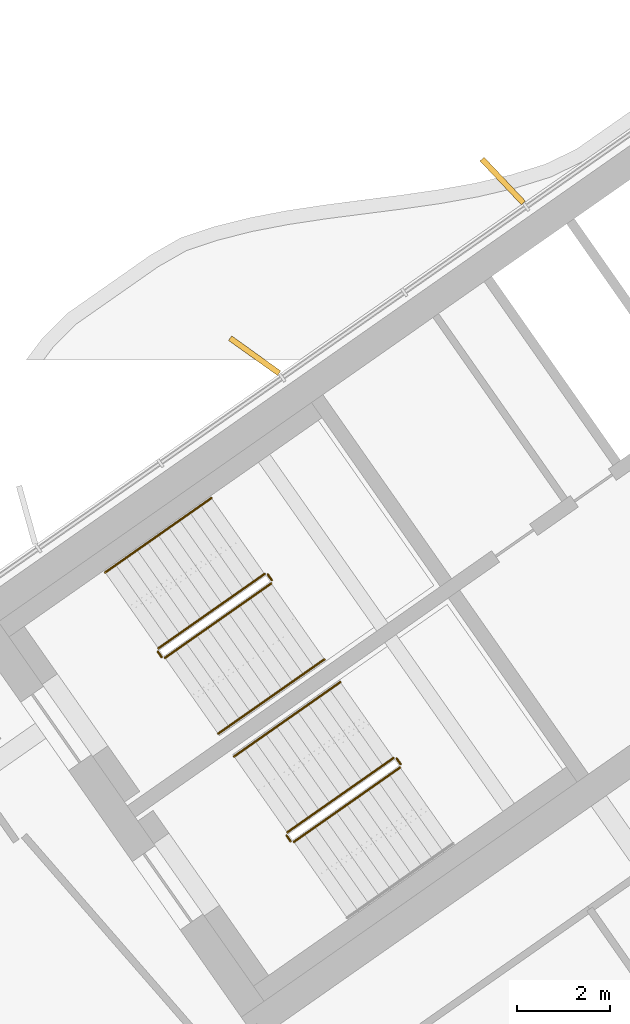
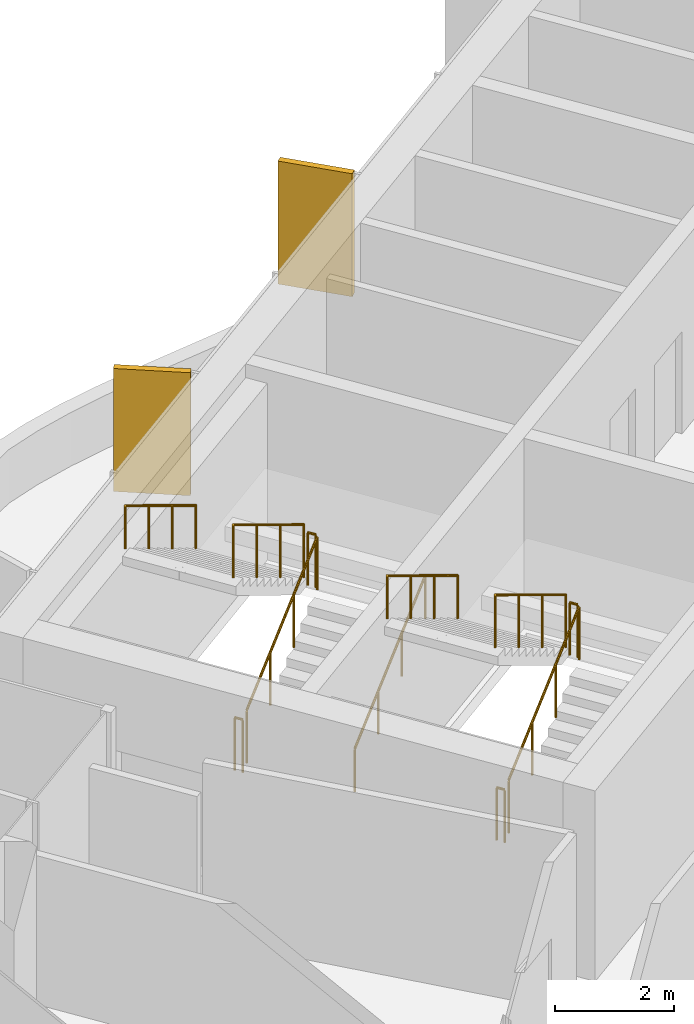
# One storey, part 15 of 18: 11 railings, 2 shading devices.
"""IFC4 building model written with IfcOpenShell, lengths in metres."""

import ifcopenshell
import ifcopenshell.guid

model = None  # the IFC model being written
_history = None  # IfcOwnerHistory: only IFC2X3 demands one
_inside = {}  # id of a spatial element -> (the spatial element, [elements in it])
_under = {}  # id of a project, library or spatial element -> (it, [spatial elements below it])
_declared = {}  # id of a project -> (the project, [libraries it declares])
_typed = {}  # id of a type object -> (the type object, [elements of that type])
_made_of = {}  # id of a material, layer set ... -> (it, [elements and type objects made of it])


def new_model(schema):
    """Start an empty IFC model of exactly this schema.

    Asked for "IFC4X3", IfcOpenShell would pick the latest addendum, in which some entities
    have other attributes; the version numbers below select the first issue.
    IFC2X3 requires an IfcOwnerHistory on every rooted entity: one is made here for all.
    """
    global model, _history
    if schema == "IFC4X3":
        model = ifcopenshell.file(schema_version=(4, 3, 0, 0))
    else:
        model = ifcopenshell.file(schema=schema)
    _inside.clear()
    _under.clear()
    _declared.clear()
    _typed.clear()
    _made_of.clear()
    _history = None
    if model.schema == "IFC2X3":
        org = make("IfcOrganization", Name="unknown")
        user = make(
            "IfcPersonAndOrganization",
            ThePerson=make("IfcPerson", FamilyName="unknown"),
            TheOrganization=org,
        )
        app = make(
            "IfcApplication",
            ApplicationDeveloper=org,
            Version="unknown",
            ApplicationFullName="unknown",
            ApplicationIdentifier="unknown",
        )
        _history = make(
            "IfcOwnerHistory",
            OwningUser=user,
            OwningApplication=app,
            ChangeAction="ADDED",
            CreationDate=0,
        )
    return model


def make(cls, **values):
    """One entity of the class cls with the attributes given. An attribute that is None is left unset."""
    return model.create_entity(
        cls, **{name: value for name, value in values.items() if value is not None}
    )


def rooted(cls, **values):
    """An entity with a GlobalId (a new one), such as an element, a storey or a relation."""
    return make(cls, GlobalId=ifcopenshell.guid.new(), OwnerHistory=_history, **values)


def si_unit(unit_type, name, prefix=None):
    """IfcSIUnit, for example si_unit("LENGTHUNIT", "METRE", prefix="MILLI")."""
    return make("IfcSIUnit", UnitType=unit_type, Prefix=prefix, Name=name)


def assignment(units):
    """IfcUnitAssignment: the units of a project."""
    return None if units is None else make("IfcUnitAssignment", Units=units)


def point(xyz):
    """IfcCartesianPoint."""
    return None if xyz is None else make("IfcCartesianPoint", Coordinates=xyz)


def direction(xyz):
    """IfcDirection."""
    return None if xyz is None else make("IfcDirection", DirectionRatios=xyz)


def frame(location, z_axis=None, x_axis=None):
    """IfcAxis2Placement3D, a coordinate frame: its origin and axes. An axis left out is left unset."""
    return make(
        "IfcAxis2Placement3D",
        Location=point(location),
        Axis=direction(z_axis),
        RefDirection=direction(x_axis),
    )


def frame_2d(location, x_axis=None):
    """IfcAxis2Placement2D, a coordinate frame in the plane: its origin and x axis."""
    return make(
        "IfcAxis2Placement2D", Location=point(location), RefDirection=direction(x_axis)
    )


def origin():
    """The frame at (0, 0, 0) with its axes left unset."""
    return frame((0.0, 0.0, 0.0))


def origin_2d():
    """The frame at (0, 0) in the plane with its x axis left unset."""
    return frame_2d((0.0, 0.0))


def place(relative_to, where):
    """IfcLocalPlacement: puts the frame where relative to a parent placement (None: the world)."""
    return make(
        "IfcLocalPlacement", PlacementRelTo=relative_to, RelativePlacement=where
    )


def context(
    kind, dimensions, precision=None, world=None, true_north=None, identifier=None
):
    """IfcGeometricRepresentationContext, for example the 3D "Model" context."""
    return make(
        "IfcGeometricRepresentationContext",
        ContextIdentifier=identifier,
        ContextType=kind,
        CoordinateSpaceDimension=dimensions,
        Precision=precision,
        WorldCoordinateSystem=world,
        TrueNorth=true_north,
    )


def subcontext(parent, identifier, kind, view, scale=None):
    """IfcGeometricRepresentationSubContext, for example "Body" below "Model"."""
    return make(
        "IfcGeometricRepresentationSubContext",
        ContextIdentifier=identifier,
        ContextType=kind,
        ParentContext=parent,
        TargetScale=scale,
        TargetView=view,
    )


def project(units=None, contexts=None):
    """IfcProject with its units and contexts."""
    return rooted(
        "IfcProject",
        Name="project",
        RepresentationContexts=contexts,
        UnitsInContext=assignment(units),
    )


def spatial(cls, under=None, at=None, **own):
    """A site, building, storey or space (cls), placed at a placement, below another one or the project."""
    s = rooted(cls, ObjectPlacement=at, **own)
    if under is not None:
        _under.setdefault(under.id(), (under, []))[1].append(s)
    return s


def profile(cls, at=None, kind="AREA", **sizes):
    """A parametric profile (cls). Its sizes go by their IFC names, for example OverallWidth=200.0."""
    return make(cls, ProfileType=kind, Position=at, **sizes)


def rectangle(**sizes):
    """IfcRectangleProfileDef."""
    return profile("IfcRectangleProfileDef", **sizes)


def circle(**sizes):
    """IfcCircleProfileDef."""
    return profile("IfcCircleProfileDef", **sizes)


def extrude(swept, where, along, depth):
    """IfcExtrudedAreaSolid: the profile swept, set in the frame where, extruded along a direction by depth."""
    return make(
        "IfcExtrudedAreaSolid",
        SweptArea=swept,
        Position=where,
        ExtrudedDirection=direction(along),
        Depth=depth,
    )


def shape(context_of_items, identifier, shape_type, items):
    """IfcShapeRepresentation: the items that make up one representation, for example the "Body"."""
    return make(
        "IfcShapeRepresentation",
        ContextOfItems=context_of_items,
        RepresentationIdentifier=identifier,
        RepresentationType=shape_type,
        Items=items,
    )


def material(Name=None, Category=None):
    """IfcMaterial."""
    return make("IfcMaterial", Name=Name, Category=Category)


def layer(
    of_material, thickness, ventilated=None, Name=None, Category=None, Priority=None
):
    """IfcMaterialLayer: one layer of a wall or slab, of a material (None: an air gap)."""
    return make(
        "IfcMaterialLayer",
        Material=of_material,
        LayerThickness=thickness,
        IsVentilated=ventilated,
        Name=Name,
        Category=Category,
        Priority=Priority,
    )


def layer_set(layers, Name=None):
    """IfcMaterialLayerSet."""
    return make("IfcMaterialLayerSet", MaterialLayers=layers, LayerSetName=Name)


def made_of(thing, what):
    """Note that an element or type object is made of a material, layer set ...; save() writes the relation."""
    if what is not None:
        _made_of.setdefault(what.id(), (what, []))[1].append(thing)
    return thing


def type_object(cls, material=None, **own):
    """A type object (cls), such as IfcWallType, which elements share."""
    return made_of(rooted(cls, **own), material)


def element(
    cls,
    number,
    at=None,
    inside=None,
    cuts=None,
    type_object=None,
    material=None,
    context=None,
    identifier="Body",
    shape_type=None,
    held_by="IfcProductDefinitionShape",
    body=None,
    shapes=None,
    **own,
):
    """One element of the class cls, such as IfcWall. Its Tag is "e" and its number.

    at: its placement. inside: the storey or other place that contains it. cuts: it is an
    opening in that element (IfcRelVoidsElement). A single representation is given by context,
    identifier, shape_type and body (its items); several are given by shapes. held_by: the class
    of the entity that holds the representations. save() writes the other relations.
    """
    e = rooted(cls, Tag="e%d" % number, ObjectPlacement=at, **own)
    if body is not None:
        shapes = [shape(context, identifier, shape_type, body)]
    if shapes is not None:
        e.Representation = make(held_by, Representations=shapes)
    if inside is not None:
        _inside.setdefault(inside.id(), (inside, []))[1].append(e)
    if cuts is not None:
        rooted(
            "IfcRelVoidsElement", RelatingBuildingElement=cuts, RelatedOpeningElement=e
        )
    if type_object is not None:
        _typed.setdefault(type_object.id(), (type_object, []))[1].append(e)
    return made_of(e, material)


def aggregate(whole, parts):
    """IfcRelAggregates: a whole, such as a stair, and the parts it consists of."""
    return rooted("IfcRelAggregates", RelatingObject=whole, RelatedObjects=parts)


def save(model, path):
    """Write the relations noted so far, then the file.

    IfcRelAggregates (storeys below a building ...), IfcRelContainedInSpatialStructure (elements
    in a storey), IfcRelDefinesByType, IfcRelAssociatesMaterial and IfcRelDeclares: one each for
    every whole, place, type object, material and project.
    """
    for whole, parts in _under.values():
        aggregate(whole, parts)
    for where, things in _inside.values():
        rooted(
            "IfcRelContainedInSpatialStructure",
            RelatedElements=things,
            RelatingStructure=where,
        )
    for kind, things in _typed.values():
        rooted("IfcRelDefinesByType", RelatedObjects=things, RelatingType=kind)
    for what, things in _made_of.values():
        rooted("IfcRelAssociatesMaterial", RelatedObjects=things, RelatingMaterial=what)
    for by, libraries in _declared.values():
        rooted("IfcRelDeclares", RelatingContext=by, RelatedDefinitions=libraries)
    model.write(path)


model = new_model("IFC4")

# Units and contexts
model_context = context("Model", 3, precision=1e-05, world=origin(), true_north=direction((0.0, 1.0)))
body_context = subcontext(model_context, "Body", "Model", "MODEL_VIEW")
ifc_project = project(units=[si_unit("LENGTHUNIT", "METRE"), si_unit("AREAUNIT", "SQUARE_METRE"), si_unit("VOLUMEUNIT", "CUBIC_METRE"), si_unit("PLANEANGLEUNIT", "RADIAN"), si_unit("MASSUNIT", "GRAM", prefix="KILO")], contexts=[model_context])

# Site, building, storey
site_placement = place(None, origin())
site = spatial("IfcSite", under=ifc_project, at=site_placement, CompositionType="ELEMENT")
building_placement = place(site_placement, origin())
building = spatial("IfcBuilding", under=site, at=building_placement, Name="Tel Ilan Convention Tower", CompositionType="ELEMENT")
storey_placement = place(building_placement, frame((0.0, 0.0, 268.300048828125)))
storey = spatial("IfcBuildingStorey", under=building, at=storey_placement, Name="L63", CompositionType="ELEMENT", Elevation=268.300048828125)

# Shading devices
ifc_material_1 = material(Name="Aluminium, bronze anodised", Category="aluminium")
ifc_layer = layer(ifc_material_1, 0.1201171875)
ifc_layer_set = layer_set([ifc_layer], Name="FIN BRONZE 1300x120")
shading_device_type = type_object("IfcShadingDeviceType", Name="FIN BRONZE 1300x120", PredefinedType="USERDEFINED", material=ifc_layer_set)
for number, where, z_axis, x_axis, name in (
    (1, (-16.24658203125, 2.2373046875, 1.099853515625), (0.0, 0.0, 1.0), (-0.686241637865, 0.727373641577, 0.0), "FIN"),
    (2, (-21.600830078125, -1.534912109375, 1.099853515625), (0.0, 0.0, 1.0), (-0.813552070258, 0.581492071294, 0.0), "FIN"),
):
    element("IfcShadingDevice", number, at=place(storey_placement, frame(where, z_axis=z_axis, x_axis=x_axis)), inside=storey, type_object=shading_device_type, Name=name, ObjectType="FIN", PredefinedType="USERDEFINED", context=body_context, shape_type="SweptSolid", body=[
        extrude(rectangle(XDim=1.300048828125, YDim=0.1201171875, at=origin_2d()), origin(), (0.0, 0.0, 1.0), 2.52001953125),
    ])

# Railings
ifc_material_2 = material(Name="Stainless Steel Grade 316", Category="steel")
railing_type_1 = type_object("IfcRailingType", Name="Stainless Steel Stair Guard 1100 mm", PredefinedType="GUARDRAIL", material=ifc_material_2)
railing_1_placement = place(storey_placement, frame((-23.535400390625, -8.056396484375, 0.17724609375)))
element("IfcRailing", 3, at=railing_1_placement, inside=storey, type_object=railing_type_1, Name="L63 S1 stair guard 1", PredefinedType="GUARDRAIL", context=body_context, shape_type="SweptSolid", body=[
    extrude(circle(Radius=0.02392578125, at=origin_2d()), frame((0.0, 0.0, 1.076171875), z_axis=(0.692098378994, 0.484653031975, 0.534893701956), x_axis=(-0.573608623498, 0.819129505664, 0.0)), (0.0, 0.0, 1.0), 3.314208984375),
    extrude(circle(Radius=0.02099609375, at=origin_2d()), origin(), (0.0, 0.0, 1.0), 1.052001953125),
    extrude(circle(Radius=0.02099609375, at=origin_2d()), frame((0.7646484375, 0.535400390625, 0.5908203125)), (0.0, 0.0, 1.0), 1.052001953125),
    extrude(circle(Radius=0.02099609375, at=origin_2d()), frame((1.529052734375, 1.07080078125, 1.181884765625)), (0.0, 0.0, 1.0), 1.052001953125),
    extrude(circle(Radius=0.02099609375, at=origin_2d()), frame((2.293701171875, 1.606201171875, 1.772705078125)), (0.0, 0.0, 1.0), 1.052001953125),
])
railing_2_placement = place(storey_placement, frame((-21.2294921875, -6.380615234375, 1.949951171875)))
element("IfcRailing", 4, at=railing_2_placement, inside=storey, type_object=railing_type_1, Name="L63 S1 stair guard 2", PredefinedType="GUARDRAIL", context=body_context, shape_type="SweptSolid", body=[
    extrude(circle(Radius=0.02392578125, at=origin_2d()), frame((0.0, 0.0, 1.076171875), z_axis=(-0.573353020881, 0.819308436089, 0.0), x_axis=(-0.819308436089, -0.573353020881, 0.0)), (0.0, 0.0, 1.0), 0.14990234375),
    extrude(circle(Radius=0.02099609375, at=origin_2d()), origin(), (0.0, 0.0, 1.0), 1.052001953125),
    extrude(circle(Radius=0.02099609375, at=origin_2d()), frame((-0.0859375, 0.122802734375, 0.0)), (0.0, 0.0, 1.0), 1.052001953125),
])
railing_3_placement = place(storey_placement, frame((-21.38525390625, -6.24560546875, 2.127197265625)))
element("IfcRailing", 5, at=railing_3_placement, inside=storey, type_object=railing_type_1, Name="L63 S1 stair guard 3", PredefinedType="GUARDRAIL", context=body_context, shape_type="SweptSolid", body=[
    extrude(circle(Radius=0.02392578125, at=origin_2d()), frame((0.0, 0.0, 1.076171875), z_axis=(-0.692084706163, -0.484621375041, 0.534940073605), x_axis=(0.573591086599, -0.819141785879, 0.0)), (0.0, 0.0, 1.0), 3.313720703125),
    extrude(circle(Radius=0.02099609375, at=origin_2d()), origin(), (0.0, 0.0, 1.0), 1.052001953125),
    extrude(circle(Radius=0.02099609375, at=origin_2d()), frame((-0.764404296875, -0.535400390625, 0.5908203125)), (0.0, 0.0, 1.0), 1.052001953125),
    extrude(circle(Radius=0.02099609375, at=origin_2d()), frame((-1.529052734375, -1.070556640625, 1.181884765625)), (0.0, 0.0, 1.0), 1.052001953125),
    extrude(circle(Radius=0.02099609375, at=origin_2d()), frame((-2.29345703125, -1.60595703125, 1.772705078125)), (0.0, 0.0, 1.0), 1.052001953125),
])
railing_4_placement = place(storey_placement, frame((-23.60498046875, -8.0439453125, 0.0)))
element("IfcRailing", 6, at=railing_4_placement, inside=storey, type_object=railing_type_1, Name="L63 S1 stair guard 4", PredefinedType="GUARDRAIL", context=body_context, shape_type="SweptSolid", body=[
    extrude(circle(Radius=0.02392578125, at=origin_2d()), frame((0.0, 0.0, 1.076171875), z_axis=(-0.574444878118, 0.818543268254, 0.0), x_axis=(-0.818543268254, -0.574444878118, 0.0)), (0.0, 0.0, 1.0), 0.150146484375),
    extrude(circle(Radius=0.02099609375, at=origin_2d()), origin(), (0.0, 0.0, 1.0), 1.052001953125),
    extrude(circle(Radius=0.02099609375, at=origin_2d()), frame((-0.086181640625, 0.122802734375, 0.0)), (0.0, 0.0, 1.0), 1.052001953125),
])
railing_5_placement = place(storey_placement, frame((-20.753662109375, -12.029296875, 0.17724609375)))
element("IfcRailing", 7, at=railing_5_placement, inside=storey, type_object=railing_type_1, Name="L63 S2 stair guard 1", PredefinedType="GUARDRAIL", context=body_context, shape_type="SweptSolid", body=[
    extrude(circle(Radius=0.02392578125, at=origin_2d()), frame((0.0, 0.0, 1.076171875), z_axis=(0.692098378994, 0.484653031975, 0.534893701956), x_axis=(-0.573608623498, 0.819129505664, 0.0)), (0.0, 0.0, 1.0), 3.314208984375),
    extrude(circle(Radius=0.02099609375, at=origin_2d()), origin(), (0.0, 0.0, 1.0), 1.052001953125),
    extrude(circle(Radius=0.02099609375, at=origin_2d()), frame((0.7646484375, 0.535400390625, 0.5908203125)), (0.0, 0.0, 1.0), 1.052001953125),
    extrude(circle(Radius=0.02099609375, at=origin_2d()), frame((1.529052734375, 1.07080078125, 1.181884765625)), (0.0, 0.0, 1.0), 1.052001953125),
    extrude(circle(Radius=0.02099609375, at=origin_2d()), frame((2.293701171875, 1.606201171875, 1.772705078125)), (0.0, 0.0, 1.0), 1.052001953125),
])
railing_6_placement = place(storey_placement, frame((-18.44775390625, -10.353515625, 1.949951171875)))
element("IfcRailing", 8, at=railing_6_placement, inside=storey, type_object=railing_type_1, Name="L63 S2 stair guard 2", PredefinedType="GUARDRAIL", context=body_context, shape_type="SweptSolid", body=[
    extrude(circle(Radius=0.02392578125, at=origin_2d()), frame((0.0, 0.0, 1.076171875), z_axis=(-0.573353020881, 0.819308436089, 0.0), x_axis=(-0.819308436089, -0.573353020881, 0.0)), (0.0, 0.0, 1.0), 0.14990234375),
    extrude(circle(Radius=0.02099609375, at=origin_2d()), origin(), (0.0, 0.0, 1.0), 1.052001953125),
    extrude(circle(Radius=0.02099609375, at=origin_2d()), frame((-0.0859375, 0.122802734375, 0.0)), (0.0, 0.0, 1.0), 1.052001953125),
])
railing_7_placement = place(storey_placement, frame((-18.603271484375, -10.218505859375, 2.127197265625)))
element("IfcRailing", 9, at=railing_7_placement, inside=storey, type_object=railing_type_1, Name="L63 S2 stair guard 3", PredefinedType="GUARDRAIL", context=body_context, shape_type="SweptSolid", body=[
    extrude(circle(Radius=0.02392578125, at=origin_2d()), frame((0.0, 0.0, 1.076171875), z_axis=(-0.692123088272, -0.484596665743, 0.534912798717), x_axis=(0.573550118428, -0.819170471667, 0.0)), (0.0, 0.0, 1.0), 3.31396484375),
    extrude(circle(Radius=0.02099609375, at=origin_2d()), origin(), (0.0, 0.0, 1.0), 1.052001953125),
    extrude(circle(Radius=0.02099609375, at=origin_2d()), frame((-0.7646484375, -0.535400390625, 0.5908203125)), (0.0, 0.0, 1.0), 1.052001953125),
    extrude(circle(Radius=0.02099609375, at=origin_2d()), frame((-1.529052734375, -1.070556640625, 1.181884765625)), (0.0, 0.0, 1.0), 1.052001953125),
    extrude(circle(Radius=0.02099609375, at=origin_2d()), frame((-2.293701171875, -1.60595703125, 1.772705078125)), (0.0, 0.0, 1.0), 1.052001953125),
])
railing_8_placement = place(storey_placement, frame((-20.8232421875, -12.016845703125, 0.0)))
element("IfcRailing", 10, at=railing_8_placement, inside=storey, type_object=railing_type_1, Name="L63 S2 stair guard 4", PredefinedType="GUARDRAIL", context=body_context, shape_type="SweptSolid", body=[
    extrude(circle(Radius=0.02392578125, at=origin_2d()), frame((0.0, 0.0, 1.076171875), z_axis=(-0.573353020881, 0.819308436089, 0.0), x_axis=(-0.819308436089, -0.573353020881, 0.0)), (0.0, 0.0, 1.0), 0.14990234375),
    extrude(circle(Radius=0.02099609375, at=origin_2d()), origin(), (0.0, 0.0, 1.0), 1.052001953125),
    extrude(circle(Radius=0.02099609375, at=origin_2d()), frame((-0.0859375, 0.122802734375, 0.0)), (0.0, 0.0, 1.0), 1.052001953125),
])
ifc_material_3 = material(Name="Stainless Steel Grade 316", Category="steel")
railing_type_2 = type_object("IfcRailingType", Name="Stainless Steel Stair Handrail 900 mm", PredefinedType="HANDRAIL", material=ifc_material_3)
railing_9_placement = place(storey_placement, frame((-22.38818359375, -9.694580078125, 0.17724609375)))
element("IfcRailing", 11, at=railing_9_placement, inside=storey, type_object=railing_type_2, Name="L63 S1 stair handrail 1", PredefinedType="HANDRAIL", context=body_context, shape_type="SweptSolid", body=[
    extrude(circle(Radius=0.02392578125, at=origin_2d()), frame((0.0, 0.0, 0.8759765625), z_axis=(0.692084706163, 0.484621375041, 0.534940073605), x_axis=(-0.573591086599, 0.819141785879, 0.0)), (0.0, 0.0, 1.0), 3.313720703125),
    extrude(circle(Radius=0.02099609375, at=origin_2d()), origin(), (0.0, 0.0, 1.0), 0.851806640625),
    extrude(circle(Radius=0.02099609375, at=origin_2d()), frame((0.764404296875, 0.535400390625, 0.5908203125)), (0.0, 0.0, 1.0), 0.851806640625),
    extrude(circle(Radius=0.02099609375, at=origin_2d()), frame((1.529052734375, 1.070556640625, 1.181884765625)), (0.0, 0.0, 1.0), 0.851806640625),
    extrude(circle(Radius=0.02099609375, at=origin_2d()), frame((2.29345703125, 1.60595703125, 1.772705078125)), (0.0, 0.0, 1.0), 0.851806640625),
])
for number, where, name in (
    (12, (-22.5322265625, -4.607177734375, 2.127197265625), "L63 S1 stair handrail 2"),
    (13, (-19.75048828125, -8.580078125, 2.127197265625), "L63 S2 stair handrail 2"),
):
    element("IfcRailing", number, at=place(storey_placement, frame(where)), inside=storey, type_object=railing_type_2, Name=name, PredefinedType="HANDRAIL", context=body_context, shape_type="SweptSolid", body=[
        extrude(circle(Radius=0.02392578125, at=origin_2d()), frame((0.0, 0.0, 0.8759765625), z_axis=(-0.692123088272, -0.484596665743, 0.534912798717), x_axis=(0.573550118428, -0.819170471667, 0.0)), (0.0, 0.0, 1.0), 3.31396484375),
        extrude(circle(Radius=0.02099609375, at=origin_2d()), origin(), (0.0, 0.0, 1.0), 0.851806640625),
        extrude(circle(Radius=0.02099609375, at=origin_2d()), frame((-0.7646484375, -0.535400390625, 0.5908203125)), (0.0, 0.0, 1.0), 0.851806640625),
        extrude(circle(Radius=0.02099609375, at=origin_2d()), frame((-1.529052734375, -1.070556640625, 1.181884765625)), (0.0, 0.0, 1.0), 0.851806640625),
        extrude(circle(Radius=0.02099609375, at=origin_2d()), frame((-2.293701171875, -1.60595703125, 1.772705078125)), (0.0, 0.0, 1.0), 0.851806640625),
    ])

save(model, "model.ifc")
